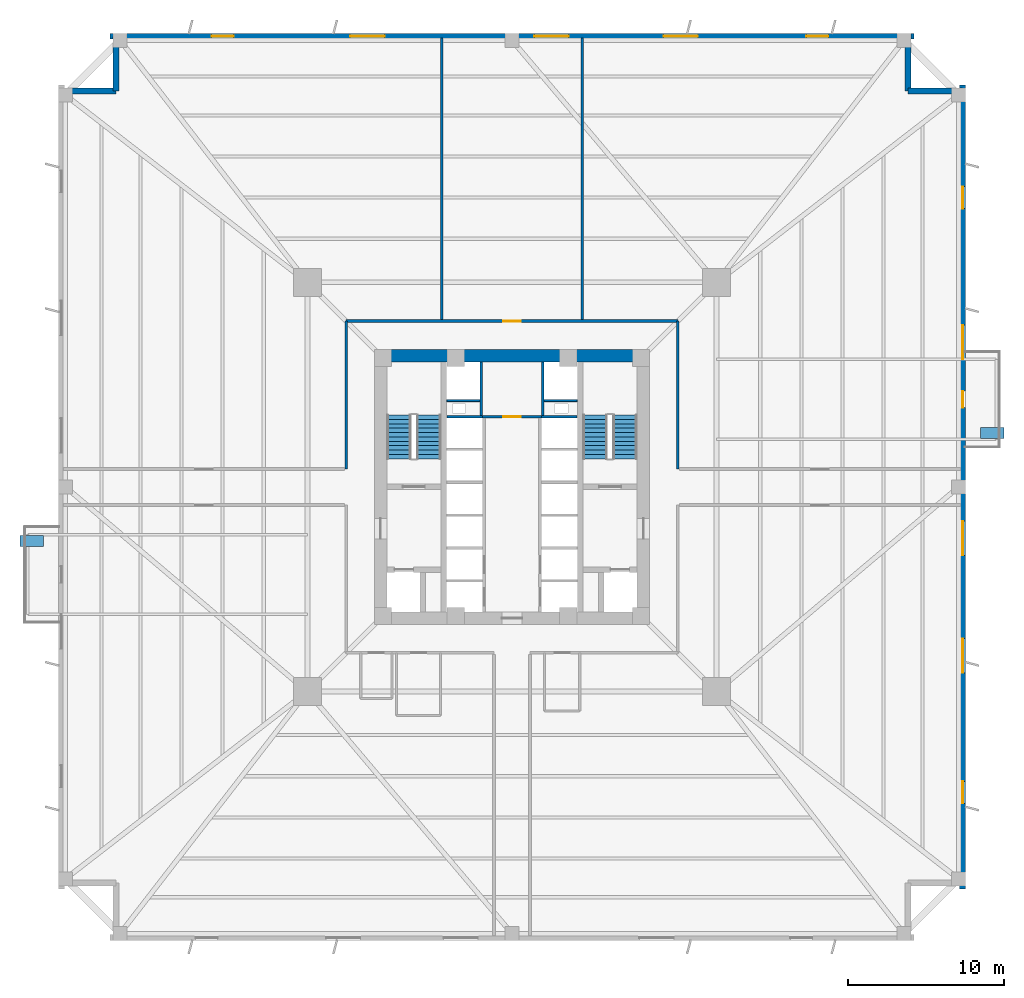
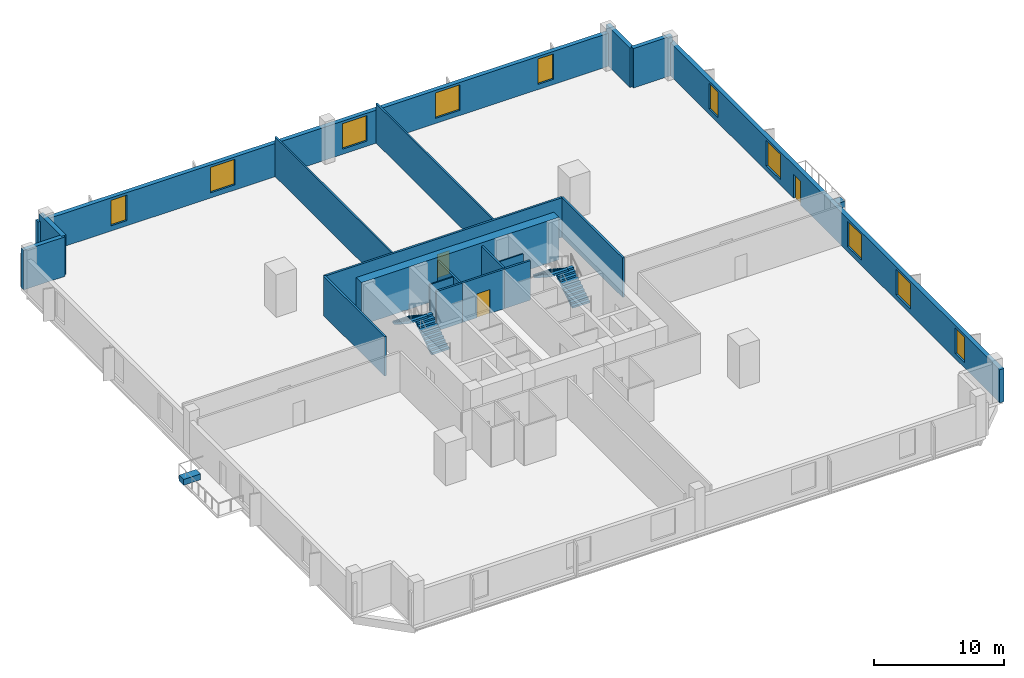
# One storey, part 4 of 8: 19 walls, 10 windows, 4 stair flights, 3 doors, 2 discrete accessories, 13 openings, 2 elements without a shape of their own.
"""IFC4 building model written with IfcOpenShell, lengths in metres."""

import ifcopenshell
import ifcopenshell.guid

model = None  # the IFC model being written
_history = None  # IfcOwnerHistory: only IFC2X3 demands one
_inside = {}  # id of a spatial element -> (the spatial element, [elements in it])
_under = {}  # id of a project, library or spatial element -> (it, [spatial elements below it])
_declared = {}  # id of a project -> (the project, [libraries it declares])
_typed = {}  # id of a type object -> (the type object, [elements of that type])
_made_of = {}  # id of a material, layer set ... -> (it, [elements and type objects made of it])


def new_model(schema):
    """Start an empty IFC model of exactly this schema.

    Asked for "IFC4X3", IfcOpenShell would pick the latest addendum, in which some entities
    have other attributes; the version numbers below select the first issue.
    IFC2X3 requires an IfcOwnerHistory on every rooted entity: one is made here for all.
    """
    global model, _history
    if schema == "IFC4X3":
        model = ifcopenshell.file(schema_version=(4, 3, 0, 0))
    else:
        model = ifcopenshell.file(schema=schema)
    _inside.clear()
    _under.clear()
    _declared.clear()
    _typed.clear()
    _made_of.clear()
    _history = None
    if model.schema == "IFC2X3":
        org = make("IfcOrganization", Name="unknown")
        user = make(
            "IfcPersonAndOrganization",
            ThePerson=make("IfcPerson", FamilyName="unknown"),
            TheOrganization=org,
        )
        app = make(
            "IfcApplication",
            ApplicationDeveloper=org,
            Version="unknown",
            ApplicationFullName="unknown",
            ApplicationIdentifier="unknown",
        )
        _history = make(
            "IfcOwnerHistory",
            OwningUser=user,
            OwningApplication=app,
            ChangeAction="ADDED",
            CreationDate=0,
        )
    return model


def make(cls, **values):
    """One entity of the class cls with the attributes given. An attribute that is None is left unset."""
    return model.create_entity(
        cls, **{name: value for name, value in values.items() if value is not None}
    )


def rooted(cls, **values):
    """An entity with a GlobalId (a new one), such as an element, a storey or a relation."""
    return make(cls, GlobalId=ifcopenshell.guid.new(), OwnerHistory=_history, **values)


def si_unit(unit_type, name, prefix=None):
    """IfcSIUnit, for example si_unit("LENGTHUNIT", "METRE", prefix="MILLI")."""
    return make("IfcSIUnit", UnitType=unit_type, Prefix=prefix, Name=name)


def assignment(units):
    """IfcUnitAssignment: the units of a project."""
    return None if units is None else make("IfcUnitAssignment", Units=units)


def point(xyz):
    """IfcCartesianPoint."""
    return None if xyz is None else make("IfcCartesianPoint", Coordinates=xyz)


def direction(xyz):
    """IfcDirection."""
    return None if xyz is None else make("IfcDirection", DirectionRatios=xyz)


def frame(location, z_axis=None, x_axis=None):
    """IfcAxis2Placement3D, a coordinate frame: its origin and axes. An axis left out is left unset."""
    return make(
        "IfcAxis2Placement3D",
        Location=point(location),
        Axis=direction(z_axis),
        RefDirection=direction(x_axis),
    )


def frame_2d(location, x_axis=None):
    """IfcAxis2Placement2D, a coordinate frame in the plane: its origin and x axis."""
    return make(
        "IfcAxis2Placement2D", Location=point(location), RefDirection=direction(x_axis)
    )


def origin():
    """The frame at (0, 0, 0) with its axes left unset."""
    return frame((0.0, 0.0, 0.0))


def origin_2d():
    """The frame at (0, 0) in the plane with its x axis left unset."""
    return frame_2d((0.0, 0.0))


def place(relative_to, where):
    """IfcLocalPlacement: puts the frame where relative to a parent placement (None: the world)."""
    return make(
        "IfcLocalPlacement", PlacementRelTo=relative_to, RelativePlacement=where
    )


def context(
    kind, dimensions, precision=None, world=None, true_north=None, identifier=None
):
    """IfcGeometricRepresentationContext, for example the 3D "Model" context."""
    return make(
        "IfcGeometricRepresentationContext",
        ContextIdentifier=identifier,
        ContextType=kind,
        CoordinateSpaceDimension=dimensions,
        Precision=precision,
        WorldCoordinateSystem=world,
        TrueNorth=true_north,
    )


def subcontext(parent, identifier, kind, view, scale=None):
    """IfcGeometricRepresentationSubContext, for example "Body" below "Model"."""
    return make(
        "IfcGeometricRepresentationSubContext",
        ContextIdentifier=identifier,
        ContextType=kind,
        ParentContext=parent,
        TargetScale=scale,
        TargetView=view,
    )


def project(units=None, contexts=None):
    """IfcProject with its units and contexts."""
    return rooted(
        "IfcProject",
        Name="project",
        RepresentationContexts=contexts,
        UnitsInContext=assignment(units),
    )


def spatial(cls, under=None, at=None, **own):
    """A site, building, storey or space (cls), placed at a placement, below another one or the project."""
    s = rooted(cls, ObjectPlacement=at, **own)
    if under is not None:
        _under.setdefault(under.id(), (under, []))[1].append(s)
    return s


def polyline(points):
    """IfcPolyline through the points."""
    return make("IfcPolyline", Points=[point(p) for p in points])


def profile(cls, at=None, kind="AREA", **sizes):
    """A parametric profile (cls). Its sizes go by their IFC names, for example OverallWidth=200.0."""
    return make(cls, ProfileType=kind, Position=at, **sizes)


def rectangle(**sizes):
    """IfcRectangleProfileDef."""
    return profile("IfcRectangleProfileDef", **sizes)


def outline(outer, holes=None, kind="AREA"):
    """IfcArbitraryClosedProfileDef: a profile drawn as a closed curve; with holes, ...WithVoids."""
    if holes is None:
        return make("IfcArbitraryClosedProfileDef", ProfileType=kind, OuterCurve=outer)
    return make(
        "IfcArbitraryProfileDefWithVoids",
        ProfileType=kind,
        OuterCurve=outer,
        InnerCurves=holes,
    )


def extrude(swept, where, along, depth):
    """IfcExtrudedAreaSolid: the profile swept, set in the frame where, extruded along a direction by depth."""
    return make(
        "IfcExtrudedAreaSolid",
        SweptArea=swept,
        Position=where,
        ExtrudedDirection=direction(along),
        Depth=depth,
    )


def shape(context_of_items, identifier, shape_type, items):
    """IfcShapeRepresentation: the items that make up one representation, for example the "Body"."""
    return make(
        "IfcShapeRepresentation",
        ContextOfItems=context_of_items,
        RepresentationIdentifier=identifier,
        RepresentationType=shape_type,
        Items=items,
    )


def source(mapping_origin, context_of_items, identifier, shape_type, items):
    """IfcRepresentationMap: a shape defined once, which mapped items show again and again."""
    return make(
        "IfcRepresentationMap",
        MappingOrigin=mapping_origin,
        MappedRepresentation=shape(context_of_items, identifier, shape_type, items),
    )


def transform(
    local_origin,
    x_axis=None,
    y_axis=None,
    z_axis=None,
    scale=None,
    scale2=None,
    scale3=None,
    uniform=True,
):
    """IfcCartesianTransformationOperator3D, or its non-uniform kind. x_axis, y_axis, z_axis: its Axis1, 2, 3."""
    if uniform:
        return make(
            "IfcCartesianTransformationOperator3D",
            Axis1=direction(x_axis),
            Axis2=direction(y_axis),
            LocalOrigin=point(local_origin),
            Scale=scale,
            Axis3=direction(z_axis),
        )
    return make(
        "IfcCartesianTransformationOperator3DnonUniform",
        Axis1=direction(x_axis),
        Axis2=direction(y_axis),
        LocalOrigin=point(local_origin),
        Scale=scale,
        Axis3=direction(z_axis),
        Scale2=scale2,
        Scale3=scale3,
    )


def mapped(mapping_source, mapping_target):
    """IfcMappedItem: shows the shape of a source again, moved by a transform."""
    return make(
        "IfcMappedItem", MappingSource=mapping_source, MappingTarget=mapping_target
    )


def material(Name=None, Category=None):
    """IfcMaterial."""
    return make("IfcMaterial", Name=Name, Category=Category)


def layer(
    of_material, thickness, ventilated=None, Name=None, Category=None, Priority=None
):
    """IfcMaterialLayer: one layer of a wall or slab, of a material (None: an air gap)."""
    return make(
        "IfcMaterialLayer",
        Material=of_material,
        LayerThickness=thickness,
        IsVentilated=ventilated,
        Name=Name,
        Category=Category,
        Priority=Priority,
    )


def layer_set(layers, Name=None):
    """IfcMaterialLayerSet."""
    return make("IfcMaterialLayerSet", MaterialLayers=layers, LayerSetName=Name)


def made_of(thing, what):
    """Note that an element or type object is made of a material, layer set ...; save() writes the relation."""
    if what is not None:
        _made_of.setdefault(what.id(), (what, []))[1].append(thing)
    return thing


def type_object(cls, material=None, **own):
    """A type object (cls), such as IfcWallType, which elements share."""
    return made_of(rooted(cls, **own), material)


def element(
    cls,
    number,
    at=None,
    inside=None,
    cuts=None,
    type_object=None,
    material=None,
    context=None,
    identifier="Body",
    shape_type=None,
    held_by="IfcProductDefinitionShape",
    body=None,
    shapes=None,
    **own,
):
    """One element of the class cls, such as IfcWall. Its Tag is "e" and its number.

    at: its placement. inside: the storey or other place that contains it. cuts: it is an
    opening in that element (IfcRelVoidsElement). A single representation is given by context,
    identifier, shape_type and body (its items); several are given by shapes. held_by: the class
    of the entity that holds the representations. save() writes the other relations.
    """
    e = rooted(cls, Tag="e%d" % number, ObjectPlacement=at, **own)
    if body is not None:
        shapes = [shape(context, identifier, shape_type, body)]
    if shapes is not None:
        e.Representation = make(held_by, Representations=shapes)
    if inside is not None:
        _inside.setdefault(inside.id(), (inside, []))[1].append(e)
    if cuts is not None:
        rooted(
            "IfcRelVoidsElement", RelatingBuildingElement=cuts, RelatedOpeningElement=e
        )
    if type_object is not None:
        _typed.setdefault(type_object.id(), (type_object, []))[1].append(e)
    return made_of(e, material)


def fill(opening, filler):
    """IfcRelFillsElement: the door or window that sits in an opening."""
    return rooted(
        "IfcRelFillsElement",
        RelatingOpeningElement=opening,
        RelatedBuildingElement=filler,
    )


def aggregate(whole, parts):
    """IfcRelAggregates: a whole, such as a stair, and the parts it consists of."""
    return rooted("IfcRelAggregates", RelatingObject=whole, RelatedObjects=parts)


def save(model, path):
    """Write the relations noted so far, then the file.

    IfcRelAggregates (storeys below a building ...), IfcRelContainedInSpatialStructure (elements
    in a storey), IfcRelDefinesByType, IfcRelAssociatesMaterial and IfcRelDeclares: one each for
    every whole, place, type object, material and project.
    """
    for whole, parts in _under.values():
        aggregate(whole, parts)
    for where, things in _inside.values():
        rooted(
            "IfcRelContainedInSpatialStructure",
            RelatedElements=things,
            RelatingStructure=where,
        )
    for kind, things in _typed.values():
        rooted("IfcRelDefinesByType", RelatedObjects=things, RelatingType=kind)
    for what, things in _made_of.values():
        rooted("IfcRelAssociatesMaterial", RelatedObjects=things, RelatingMaterial=what)
    for by, libraries in _declared.values():
        rooted("IfcRelDeclares", RelatingContext=by, RelatedDefinitions=libraries)
    model.write(path)


model = new_model("IFC4")

# Units and contexts
model_context = context("Model", 3, precision=1e-05, world=origin(), true_north=direction((0.0, 1.0)))
body_context = subcontext(model_context, "Body", "Model", "MODEL_VIEW")
ifc_project = project(units=[si_unit("LENGTHUNIT", "METRE"), si_unit("AREAUNIT", "SQUARE_METRE"), si_unit("VOLUMEUNIT", "CUBIC_METRE"), si_unit("PLANEANGLEUNIT", "RADIAN"), si_unit("MASSUNIT", "GRAM", prefix="KILO"), si_unit("THERMODYNAMICTEMPERATUREUNIT", "KELVIN")], contexts=[model_context])

# Site, building, storey
site_placement = place(None, origin())
site = spatial("IfcSite", under=ifc_project, at=site_placement, CompositionType="ELEMENT")
building_placement = place(site_placement, origin())
building = spatial("IfcBuilding", under=site, at=building_placement, Name="Kosmvard Interchange Tower", CompositionType="ELEMENT")
storey_placement = place(building_placement, frame((0.0, 0.0, 34.0)))
storey = spatial("IfcBuildingStorey", under=building, at=storey_placement, Name="L07", CompositionType="ELEMENT", Elevation=34.0)

# Walls
ifc_material_1 = material(Name="Acoustic gypsum partition system")
ifc_layer_1 = layer(ifc_material_1, 0.14990234375, Name="Acoustic gypsum partition system")
ifc_layer_set_1 = layer_set([ifc_layer_1], Name="Acoustic gypsum partition system")
wall_type_1 = type_object("IfcWallType", Name="Acoustic Suite & Meeting Partition 150", PredefinedType="PARTITIONING", material=ifc_layer_set_1)
for number, where, z_axis, x_axis, name in (
    (1, (-4.5, 10.695068359375, 0.0), (0.0, 0.0, 1.0), (0.0, 1.0, 0.0), "L07 Room Partition 01.1"),
    (2, (4.5, 10.695068359375, 0.0), (0.0, 0.0, 1.0), (0.0, 1.0, 0.0), "L07 Room Partition 02.1"),
):
    element("IfcWall", number, at=place(storey_placement, frame(where, z_axis=z_axis, x_axis=x_axis)), inside=storey, type_object=wall_type_1, Name=name, PredefinedType="PARTITIONING", context=body_context, shape_type="SweptSolid", body=[
        extrude(rectangle(XDim=17.989990234375, YDim=0.14990234375, at=frame_2d((8.9951171875, 0.0))), origin(), (0.0, 0.0, 1.0), 3.719970703125),
    ])
ifc_material_2 = material(Name="Fire-rated gypsum partition system")
ifc_layer_2 = layer(ifc_material_2, 0.159912109375, Name="Fire-rated gypsum partition system")
ifc_layer_set_2 = layer_set([ifc_layer_2], Name="Fire-rated gypsum partition system")
wall_type_2 = type_object("IfcWallType", Name="Core Compartment & Shuttle Lobby Partition 160", PredefinedType="PARTITIONING", material=ifc_layer_set_2)
for number, where, z_axis, x_axis, name in (
    (3, (-1.9599609375, 4.580078125, 0.0), (0.0, 0.0, 1.0), (0.0, 1.0, 0.0), "L07 North Core West Wall"),
    (4, (1.9599609375, 4.580078125, 0.0), (0.0, 0.0, 1.0), (0.0, 1.0, 0.0), "L07 North Core East Wall"),
):
    element("IfcWall", number, at=place(storey_placement, frame(where, z_axis=z_axis, x_axis=x_axis)), inside=storey, type_object=wall_type_2, Name=name, PredefinedType="PARTITIONING", context=body_context, shape_type="SweptSolid", body=[
        extrude(rectangle(XDim=3.39990234375, YDim=0.159912109375, at=frame_2d((1.699951171875, 0.0))), origin(), (0.0, 0.0, 1.0), 3.719970703125),
    ])

# Wall, opening, door
ifc_layer_3 = layer(ifc_material_2, 0.179931640625, Name="Fire-rated gypsum partition system")
ifc_layer_set_3 = layer_set([ifc_layer_3], Name="Fire-rated gypsum partition system")
wall_type_3 = type_object("IfcWallType", Name="Corridor & Hotel Compartment Partition 180", PredefinedType="PARTITIONING", material=ifc_layer_set_3)
wall_1_placement = place(storey_placement, frame((-1.8798828125, 4.489990234375, 0.0), z_axis=(0.0, 0.0, 1.0), x_axis=(1.0, 0.0, 0.0)))
wall_1 = element("IfcWall", 5, at=wall_1_placement, inside=storey, type_object=wall_type_3, Name="L07 Lift Lobby North Partition", PredefinedType="PARTITIONING", context=body_context, shape_type="SweptSolid", body=[
    extrude(rectangle(XDim=3.759765625, YDim=0.179931640625, at=frame_2d((1.8798828125, 0.0))), origin(), (0.0, 0.0, 1.0), 3.719970703125),
])
opening_1_placement = place(wall_1_placement, frame((1.304931640625, 0.0, 0.0)))
opening_1 = element("IfcOpeningElement", 6, at=opening_1_placement, cuts=wall_1, Name="Opening L07-KD1", PredefinedType="OPENING", context=body_context, shape_type="SweptSolid", body=[
    extrude(rectangle(XDim=1.14990234375, YDim=2.25, at=frame_2d((0.574951171875, 1.125))), frame((0.0, 0.10009765625, 0.0), z_axis=(0.0, -1.0, 0.0), x_axis=(1.0, 0.0, 0.0)), (0.0, 0.0, 1.0), 0.199951171875),
])
ifc_material_3 = material(Name="Painted fire-rated steel leaf", Category="steel")
door_type_1 = type_object("IfcDoorType", Name="Plant & Riser Fire Door 1150x2250 EI60", OperationType="NOTDEFINED", PredefinedType="DOOR", material=ifc_material_3)
shared_shape_1 = source(origin(), body_context, "Body", "SweptSolid", [
    extrude(rectangle(XDim=1.14990234375, YDim=2.25, at=frame_2d((0.574951171875, 1.125))), frame((0.0, 0.02490234375, 0.0), z_axis=(0.0, -1.0, 0.0), x_axis=(1.0, 0.0, 0.0)), (0.0, 0.0, 1.0), 0.050048828125),
])
door_1_placement = place(opening_1_placement, origin())
door_1 = element("IfcDoor", 7, at=door_1_placement, inside=storey, type_object=door_type_1, Name="L07 Core IT Room Door", OperationType="SINGLE_SWING_LEFT", OverallHeight=2.25, OverallWidth=1.14990234375, PredefinedType="DOOR", context=body_context, shape_type="MappedRepresentation", body=[
    mapped(shared_shape_1, transform((0.0, 0.0, 0.0), scale=1.0)),
])
fill(opening_1, door_1)

wall_2_placement = place(storey_placement, frame((-10.60009765625, 10.60009765625, 0.0), z_axis=(0.0, 0.0, 1.0), x_axis=(1.0, 0.0, 0.0)))
wall_2 = element("IfcWall", 8, at=wall_2_placement, inside=storey, type_object=wall_type_3, Name="L07 Corridor Wall CN", PredefinedType="PARTITIONING", context=body_context, shape_type="SweptSolid", body=[
    extrude(rectangle(XDim=21.2001953125, YDim=0.179931640625, at=frame_2d((10.60009765625, 0.0))), origin(), (0.0, 0.0, 1.0), 3.719970703125),
])
opening_2_placement = place(wall_2_placement, frame((10.050048828125, 0.0, 0.0)))
opening_2 = element("IfcOpeningElement", 9, at=opening_2_placement, cuts=wall_2, Name="Opening L07-D05", PredefinedType="OPENING", context=body_context, shape_type="SweptSolid", body=[
    extrude(rectangle(XDim=1.10009765625, YDim=2.199951171875, at=frame_2d((0.550048828125, 1.10009765625))), frame((0.0, 0.10009765625, 0.0), z_axis=(0.0, -1.0, 0.0), x_axis=(1.0, 0.0, 0.0)), (0.0, 0.0, 1.0), 0.199951171875),
])
ifc_material_4 = material(Name="Engineered oak fire-rated timber", Category="wood")
door_type_2 = type_object("IfcDoorType", Name="Office Suite Entrance Door 1100x2200 FD30S", OperationType="NOTDEFINED", PredefinedType="DOOR", material=ifc_material_4)
shared_shape_2 = source(origin(), body_context, "Body", "SweptSolid", [
    extrude(rectangle(XDim=1.10009765625, YDim=2.199951171875, at=frame_2d((0.550048828125, 1.10009765625))), frame((0.0, 0.02490234375, 0.0), z_axis=(0.0, -1.0, 0.0), x_axis=(1.0, 0.0, 0.0)), (0.0, 0.0, 1.0), 0.050048828125),
])
door_2_placement = place(opening_2_placement, origin())
door_2 = element("IfcDoor", 10, at=door_2_placement, inside=storey, type_object=door_type_2, Name="L07 Central Executive Boardroom Door", OperationType="SINGLE_SWING_LEFT", OverallHeight=2.199951171875, OverallWidth=1.10009765625, PredefinedType="DOOR", context=body_context, shape_type="MappedRepresentation", body=[
    mapped(shared_shape_2, transform((0.0, 0.0, 0.0), scale=1.0)),
])
fill(opening_2, door_2)

# Walls
for number, where, z_axis, x_axis, name in (
    (11, (-10.60009765625, 1.14990234375, 0.0), (0.0, 0.0, 1.0), (0.0, 1.0, 0.0), "L07 Corridor Wall CWN"),
    (12, (10.60009765625, 1.14990234375, 0.0), (0.0, 0.0, 1.0), (0.0, 1.0, 0.0), "L07 Corridor Wall CEN"),
):
    element("IfcWall", number, at=place(storey_placement, frame(where, z_axis=z_axis, x_axis=x_axis)), inside=storey, type_object=wall_type_3, Name=name, PredefinedType="PARTITIONING", context=body_context, shape_type="SweptSolid", body=[
        extrude(rectangle(XDim=9.4501953125, YDim=0.179931640625, at=frame_2d((4.72509765625, 0.0))), origin(), (0.0, 0.0, 1.0), 3.719970703125),
    ])
ifc_material_5 = material(Name="Concrete C80/95", Category="concrete")
ifc_layer_4 = layer(ifc_material_5, 0.800048828125, Name="Concrete C80/95")
ifc_layer_set_4 = layer_set([ifc_layer_4], Name="Concrete C80/95")
wall_type_4 = type_object("IfcWallType", Name="Lower Core Shear Wall 800 C80/95", PredefinedType="SHEAR", material=ifc_layer_set_4)
wall_3_placement = place(storey_placement, frame((-8.800048828125, 8.39990234375, 0.0), z_axis=(0.0, 0.0, 1.0), x_axis=(1.0, 0.0, 0.0)))
element("IfcWall", 13, at=wall_3_placement, inside=storey, type_object=wall_type_4, Name="L07 Core Shear Wall CW-N", PredefinedType="SHEAR", context=body_context, shape_type="SweptSolid", body=[
    extrude(rectangle(XDim=17.60009765625, YDim=0.800048828125, at=frame_2d((8.800048828125, 0.0))), origin(), (0.0, 0.0, 1.0), 4.0),
])

# Wall, openings, door, windows
ifc_material_6 = material(Name="Precast concrete C45/55", Category="concrete")
ifc_layer_5 = layer(ifc_material_6, 0.3798828125, Name="Precast concrete C45/55")
ifc_layer_set_5 = layer_set([ifc_layer_5], Name="Precast concrete C45/55")
wall_type_5 = type_object("IfcWallType", Name="Lower Tower Precast Pier Wall 380 C45/55", PredefinedType="STANDARD", material=ifc_layer_set_5)
wall_4_placement = place(storey_placement, frame((28.81005859375, -25.68994140625, 0.0), z_axis=(0.0, 0.0, 1.0), x_axis=(0.0, 1.0, 0.0)))
wall_4 = element("IfcWall", 14, at=wall_4_placement, inside=storey, type_object=wall_type_5, Name="L07 Precast Facade Wall F-E", PredefinedType="STANDARD", context=body_context, shape_type="SweptSolid", body=[
    extrude(rectangle(XDim=51.3798828125, YDim=0.3798828125, at=frame_2d((25.68994140625, 0.0))), origin(), (0.0, 0.0, 1.0), 3.1201171875),
])
opening_3_placement = place(wall_4_placement, frame((30.764892578125, 0.0, 0.0)))
opening_3 = element("IfcOpeningElement", 15, at=opening_3_placement, cuts=wall_4, Name="Opening L07-BDE", PredefinedType="OPENING", context=body_context, shape_type="SweptSolid", body=[
    extrude(rectangle(XDim=1.050048828125, YDim=2.25, at=frame_2d((0.52490234375, 1.125))), frame((0.0, 0.199951171875, 0.0), z_axis=(0.0, -1.0, 0.0), x_axis=(1.0, 0.0, 0.0)), (0.0, 0.0, 1.0), 0.39990234375),
])
opening_4_placement = place(wall_4_placement, frame((5.465576171875, 0.0, 0.489990234375)))
opening_4 = element("IfcOpeningElement", 16, at=opening_4_placement, cuts=wall_4, Name="Opening L07-W06", PredefinedType="OPENING", context=body_context, shape_type="SweptSolid", body=[
    extrude(rectangle(XDim=1.39990234375, YDim=2.39990234375, at=frame_2d((0.699951171875, 1.199951171875))), frame((0.0, 0.199951171875, 0.0), z_axis=(0.0, -1.0, 0.0), x_axis=(1.0, 0.0, 0.0)), (0.0, 0.0, 1.0), 0.39990234375),
])
opening_5_placement = place(wall_4_placement, frame((13.80029296875, 0.0, 0.489990234375)))
opening_5 = element("IfcOpeningElement", 17, at=opening_5_placement, cuts=wall_4, Name="Opening L07-W07", PredefinedType="OPENING", context=body_context, shape_type="SweptSolid", body=[
    extrude(rectangle(XDim=2.199951171875, YDim=2.39990234375, at=frame_2d((1.10009765625, 1.199951171875))), frame((0.0, 0.199951171875, 0.0), z_axis=(0.0, -1.0, 0.0), x_axis=(1.0, 0.0, 0.0)), (0.0, 0.0, 1.0), 0.39990234375),
])
opening_6_placement = place(wall_4_placement, frame((21.3125, 0.0, 0.489990234375)))
opening_6 = element("IfcOpeningElement", 18, at=opening_6_placement, cuts=wall_4, Name="Opening L07-W08", PredefinedType="OPENING", context=body_context, shape_type="SweptSolid", body=[
    extrude(rectangle(XDim=2.199951171875, YDim=2.39990234375, at=frame_2d((1.10009765625, 1.199951171875))), frame((0.0, 0.199951171875, 0.0), z_axis=(0.0, -1.0, 0.0), x_axis=(1.0, 0.0, 0.0)), (0.0, 0.0, 1.0), 0.39990234375),
])
opening_7_placement = place(wall_4_placement, frame((33.83837890625, 0.0, 0.489990234375)))
opening_7 = element("IfcOpeningElement", 19, at=opening_7_placement, cuts=wall_4, Name="Opening L07-W09", PredefinedType="OPENING", context=body_context, shape_type="SweptSolid", body=[
    extrude(rectangle(XDim=2.199951171875, YDim=2.39990234375, at=frame_2d((1.10009765625, 1.199951171875))), frame((0.0, 0.199951171875, 0.0), z_axis=(0.0, -1.0, 0.0), x_axis=(1.0, 0.0, 0.0)), (0.0, 0.0, 1.0), 0.39990234375),
])
opening_8_placement = place(wall_4_placement, frame((43.48681640625, 0.0, 0.489990234375)))
opening_8 = element("IfcOpeningElement", 20, at=opening_8_placement, cuts=wall_4, Name="Opening L07-W10", PredefinedType="OPENING", context=body_context, shape_type="SweptSolid", body=[
    extrude(rectangle(XDim=1.39990234375, YDim=2.39990234375, at=frame_2d((0.699951171875, 1.199951171875))), frame((0.0, 0.199951171875, 0.0), z_axis=(0.0, -1.0, 0.0), x_axis=(1.0, 0.0, 0.0)), (0.0, 0.0, 1.0), 0.39990234375),
])
ifc_material_7 = material(Name="Anodised aluminium and safety glass", Category="aluminium")
door_type_3 = type_object("IfcDoorType", Name="Tree-Balcony Glazed Door 1050x2250", OperationType="NOTDEFINED", PredefinedType="DOOR", material=ifc_material_7)
shared_shape_3 = source(origin(), body_context, "Body", "SweptSolid", [
    extrude(rectangle(XDim=1.050048828125, YDim=2.25, at=frame_2d((0.52490234375, 1.125))), frame((0.0, 0.02490234375, 0.0), z_axis=(0.0, -1.0, 0.0), x_axis=(1.0, 0.0, 0.0)), (0.0, 0.0, 1.0), 0.050048828125),
])
door_3_placement = place(opening_3_placement, origin())
door_3 = element("IfcDoor", 21, at=door_3_placement, inside=storey, type_object=door_type_3, Name="L07 Tree-Balcony Door BAL-L07-E", OperationType="SINGLE_SWING_RIGHT", OverallHeight=2.25, OverallWidth=1.050048828125, PredefinedType="DOOR", context=body_context, shape_type="MappedRepresentation", body=[
    mapped(shared_shape_3, transform((0.0, 0.0, 0.0), scale=1.0)),
])
fill(opening_3, door_3)
ifc_material_8 = material(Name="Low-E solar-control double glazing", Category="glass")
window_type_1 = type_object("IfcWindowType", Name="Notched Corner Feature Window 1400x2400", PartitioningType="SINGLE_PANEL", PredefinedType="WINDOW", material=ifc_material_8)
shared_shape_4 = source(origin(), body_context, "Body", "SweptSolid", [
    extrude(rectangle(XDim=1.39990234375, YDim=2.39990234375, at=frame_2d((0.699951171875, 1.199951171875))), frame((0.0, 0.030029296875, 0.0), z_axis=(0.0, -1.0, 0.0), x_axis=(1.0, 0.0, 0.0)), (0.0, 0.0, 1.0), 0.06005859375),
])
window_1_placement = place(opening_4_placement, origin())
window_1 = element("IfcWindow", 22, at=window_1_placement, inside=storey, type_object=window_type_1, Name="L07 Facade Punched Window 06", OverallHeight=2.39990234375, OverallWidth=1.39990234375, PartitioningType="SINGLE_PANEL", PredefinedType="WINDOW", context=body_context, shape_type="MappedRepresentation", body=[
    mapped(shared_shape_4, transform((0.0, 0.0, 0.0), scale=1.0)),
])
fill(opening_4, window_1)
window_2_placement = place(opening_8_placement, origin())
window_2 = element("IfcWindow", 23, at=window_2_placement, inside=storey, type_object=window_type_1, Name="L07 Facade Punched Window 10", OverallHeight=2.39990234375, OverallWidth=1.39990234375, PartitioningType="SINGLE_PANEL", PredefinedType="WINDOW", context=body_context, shape_type="MappedRepresentation", body=[
    mapped(shared_shape_4, transform((0.0, 0.0, 0.0), scale=1.0)),
])
fill(opening_8, window_2)
window_type_2 = type_object("IfcWindowType", Name="Zone 1 Office Punched Window 2200x2400", PartitioningType="SINGLE_PANEL", PredefinedType="WINDOW", material=ifc_material_8)
shared_shape_5 = source(origin(), body_context, "Body", "SweptSolid", [
    extrude(rectangle(XDim=2.199951171875, YDim=2.39990234375, at=frame_2d((1.10009765625, 1.199951171875))), frame((0.0, 0.030029296875, 0.0), z_axis=(0.0, -1.0, 0.0), x_axis=(1.0, 0.0, 0.0)), (0.0, 0.0, 1.0), 0.06005859375),
])
window_3_placement = place(opening_5_placement, origin())
window_3 = element("IfcWindow", 24, at=window_3_placement, inside=storey, type_object=window_type_2, Name="L07 Facade Punched Window 07", OverallHeight=2.39990234375, OverallWidth=2.199951171875, PartitioningType="SINGLE_PANEL", PredefinedType="WINDOW", context=body_context, shape_type="MappedRepresentation", body=[
    mapped(shared_shape_5, transform((0.0, 0.0, 0.0), scale=1.0)),
])
fill(opening_5, window_3)
window_4_placement = place(opening_6_placement, origin())
window_4 = element("IfcWindow", 25, at=window_4_placement, inside=storey, type_object=window_type_2, Name="L07 Facade Punched Window 08", OverallHeight=2.39990234375, OverallWidth=2.199951171875, PartitioningType="SINGLE_PANEL", PredefinedType="WINDOW", context=body_context, shape_type="MappedRepresentation", body=[
    mapped(shared_shape_5, transform((0.0, 0.0, 0.0), scale=1.0)),
])
fill(opening_6, window_4)
window_5_placement = place(opening_7_placement, origin())
window_5 = element("IfcWindow", 26, at=window_5_placement, inside=storey, type_object=window_type_2, Name="L07 Facade Punched Window 09", OverallHeight=2.39990234375, OverallWidth=2.199951171875, PartitioningType="SINGLE_PANEL", PredefinedType="WINDOW", context=body_context, shape_type="MappedRepresentation", body=[
    mapped(shared_shape_5, transform((0.0, 0.0, 0.0), scale=1.0)),
])
fill(opening_7, window_5)

# Walls
wall_5_placement = place(storey_placement, frame((28.81005859375, 25.31005859375, 0.0), z_axis=(0.0, 0.0, 1.0), x_axis=(-1.0, 0.0, 0.0)))
element("IfcWall", 27, at=wall_5_placement, inside=storey, type_object=wall_type_5, Name="L07 Precast Facade Wall N-NE1", PredefinedType="STANDARD", context=body_context, shape_type="SweptSolid", body=[
    extrude(rectangle(XDim=3.5, YDim=0.3798828125, at=frame_2d((1.75, 0.0))), origin(), (0.0, 0.0, 1.0), 3.719970703125),
])
wall_6_placement = place(storey_placement, frame((25.31005859375, 25.31005859375, 0.0), z_axis=(0.0, 0.0, 1.0), x_axis=(0.0, 1.0, 0.0)))
element("IfcWall", 28, at=wall_6_placement, inside=storey, type_object=wall_type_5, Name="L07 Precast Facade Wall N-NE2", PredefinedType="STANDARD", context=body_context, shape_type="SweptSolid", body=[
    extrude(rectangle(XDim=3.68994140625, YDim=0.3798828125, at=frame_2d((1.844970703125, 0.0))), origin(), (0.0, 0.0, 1.0), 3.719970703125),
])

# Wall, openings, windows
wall_7_placement = place(storey_placement, frame((25.68994140625, 28.81005859375, 0.0), z_axis=(0.0, 0.0, 1.0), x_axis=(-1.0, 0.0, 0.0)))
wall_7 = element("IfcWall", 29, at=wall_7_placement, inside=storey, type_object=wall_type_5, Name="L07 Precast Facade Wall F-N", PredefinedType="STANDARD", context=body_context, shape_type="SweptSolid", body=[
    extrude(rectangle(XDim=51.3798828125, YDim=0.3798828125, at=frame_2d((25.68994140625, 0.0))), origin(), (0.0, 0.0, 1.0), 3.1201171875),
])
opening_9_placement = place(wall_7_placement, frame((5.465576171875, 0.0, 0.489990234375)))
opening_9 = element("IfcOpeningElement", 30, at=opening_9_placement, cuts=wall_7, Name="Opening L07-W11", PredefinedType="OPENING", context=body_context, shape_type="SweptSolid", body=[
    extrude(rectangle(XDim=1.39990234375, YDim=2.39990234375, at=frame_2d((0.699951171875, 1.199951171875))), frame((0.0, 0.199951171875, 0.0), z_axis=(0.0, -1.0, 0.0), x_axis=(1.0, 0.0, 0.0)), (0.0, 0.0, 1.0), 0.39990234375),
])
opening_10_placement = place(wall_7_placement, frame((13.80029296875, 0.0, 0.489990234375)))
opening_10 = element("IfcOpeningElement", 31, at=opening_10_placement, cuts=wall_7, Name="Opening L07-W12", PredefinedType="OPENING", context=body_context, shape_type="SweptSolid", body=[
    extrude(rectangle(XDim=2.199951171875, YDim=2.39990234375, at=frame_2d((1.10009765625, 1.199951171875))), frame((0.0, 0.199951171875, 0.0), z_axis=(0.0, -1.0, 0.0), x_axis=(1.0, 0.0, 0.0)), (0.0, 0.0, 1.0), 0.39990234375),
])
opening_11_placement = place(wall_7_placement, frame((22.0625, 0.0, 0.489990234375)))
opening_11 = element("IfcOpeningElement", 32, at=opening_11_placement, cuts=wall_7, Name="Opening L07-W13", PredefinedType="OPENING", context=body_context, shape_type="SweptSolid", body=[
    extrude(rectangle(XDim=2.199951171875, YDim=2.39990234375, at=frame_2d((1.10009765625, 1.199951171875))), frame((0.0, 0.199951171875, 0.0), z_axis=(0.0, -1.0, 0.0), x_axis=(1.0, 0.0, 0.0)), (0.0, 0.0, 1.0), 0.39990234375),
])
opening_12_placement = place(wall_7_placement, frame((33.83837890625, 0.0, 0.489990234375)))
opening_12 = element("IfcOpeningElement", 33, at=opening_12_placement, cuts=wall_7, Name="Opening L07-W14", PredefinedType="OPENING", context=body_context, shape_type="SweptSolid", body=[
    extrude(rectangle(XDim=2.199951171875, YDim=2.39990234375, at=frame_2d((1.10009765625, 1.199951171875))), frame((0.0, 0.199951171875, 0.0), z_axis=(0.0, -1.0, 0.0), x_axis=(1.0, 0.0, 0.0)), (0.0, 0.0, 1.0), 0.39990234375),
])
opening_13_placement = place(wall_7_placement, frame((43.48681640625, 0.0, 0.489990234375)))
opening_13 = element("IfcOpeningElement", 34, at=opening_13_placement, cuts=wall_7, Name="Opening L07-W15", PredefinedType="OPENING", context=body_context, shape_type="SweptSolid", body=[
    extrude(rectangle(XDim=1.39990234375, YDim=2.39990234375, at=frame_2d((0.699951171875, 1.199951171875))), frame((0.0, 0.199951171875, 0.0), z_axis=(0.0, -1.0, 0.0), x_axis=(1.0, 0.0, 0.0)), (0.0, 0.0, 1.0), 0.39990234375),
])
window_6_placement = place(opening_9_placement, origin())
window_6 = element("IfcWindow", 35, at=window_6_placement, inside=storey, type_object=window_type_1, Name="L07 Facade Punched Window 11", OverallHeight=2.39990234375, OverallWidth=1.39990234375, PartitioningType="SINGLE_PANEL", PredefinedType="WINDOW", context=body_context, shape_type="MappedRepresentation", body=[
    mapped(shared_shape_4, transform((0.0, 0.0, 0.0), scale=1.0)),
])
fill(opening_9, window_6)
window_7_placement = place(opening_13_placement, origin())
window_7 = element("IfcWindow", 36, at=window_7_placement, inside=storey, type_object=window_type_1, Name="L07 Facade Punched Window 15", OverallHeight=2.39990234375, OverallWidth=1.39990234375, PartitioningType="SINGLE_PANEL", PredefinedType="WINDOW", context=body_context, shape_type="MappedRepresentation", body=[
    mapped(shared_shape_4, transform((0.0, 0.0, 0.0), scale=1.0)),
])
fill(opening_13, window_7)
window_8_placement = place(opening_10_placement, origin())
window_8 = element("IfcWindow", 37, at=window_8_placement, inside=storey, type_object=window_type_2, Name="L07 Facade Punched Window 12", OverallHeight=2.39990234375, OverallWidth=2.199951171875, PartitioningType="SINGLE_PANEL", PredefinedType="WINDOW", context=body_context, shape_type="MappedRepresentation", body=[
    mapped(shared_shape_5, transform((0.0, 0.0, 0.0), scale=1.0)),
])
fill(opening_10, window_8)
window_9_placement = place(opening_11_placement, origin())
window_9 = element("IfcWindow", 38, at=window_9_placement, inside=storey, type_object=window_type_2, Name="L07 Facade Punched Window 13", OverallHeight=2.39990234375, OverallWidth=2.199951171875, PartitioningType="SINGLE_PANEL", PredefinedType="WINDOW", context=body_context, shape_type="MappedRepresentation", body=[
    mapped(shared_shape_5, transform((0.0, 0.0, 0.0), scale=1.0)),
])
fill(opening_11, window_9)
window_10_placement = place(opening_12_placement, origin())
window_10 = element("IfcWindow", 39, at=window_10_placement, inside=storey, type_object=window_type_2, Name="L07 Facade Punched Window 14", OverallHeight=2.39990234375, OverallWidth=2.199951171875, PartitioningType="SINGLE_PANEL", PredefinedType="WINDOW", context=body_context, shape_type="MappedRepresentation", body=[
    mapped(shared_shape_5, transform((0.0, 0.0, 0.0), scale=1.0)),
])
fill(opening_12, window_10)

# Walls
wall_8_placement = place(storey_placement, frame((-25.31005859375, 28.81005859375, 0.0), z_axis=(0.0, 0.0, 1.0), x_axis=(0.0, -1.0, 0.0)))
element("IfcWall", 40, at=wall_8_placement, inside=storey, type_object=wall_type_5, Name="L07 Precast Facade Wall N-NW1", PredefinedType="STANDARD", context=body_context, shape_type="SweptSolid", body=[
    extrude(rectangle(XDim=3.5, YDim=0.3798828125, at=frame_2d((1.75, 0.0))), origin(), (0.0, 0.0, 1.0), 3.719970703125),
])
wall_9_placement = place(storey_placement, frame((-25.31005859375, 25.31005859375, 0.0), z_axis=(0.0, 0.0, 1.0), x_axis=(-1.0, 0.0, 0.0)))
element("IfcWall", 41, at=wall_9_placement, inside=storey, type_object=wall_type_5, Name="L07 Precast Facade Wall N-NW2", PredefinedType="STANDARD", context=body_context, shape_type="SweptSolid", body=[
    extrude(rectangle(XDim=3.68994140625, YDim=0.3798828125, at=frame_2d((1.844970703125, 0.0))), origin(), (0.0, 0.0, 1.0), 3.719970703125),
])
ifc_material_9 = material(Name="Concrete blockwork masonry", Category="masonry")
ifc_layer_6 = layer(ifc_material_9, 0.179931640625, Name="Concrete blockwork masonry")
ifc_layer_set_6 = layer_set([ifc_layer_6], Name="Concrete blockwork masonry")
wall_type_6 = type_object("IfcWallType", Name="Riser & Lift Bank Divider Wall 180", PredefinedType="PARTITIONING", material=ifc_layer_set_6)
for number, where, z_axis, x_axis, name in (
    (42, (-4.169921875, 4.489990234375, 0.0), (0.0, 0.0, 1.0), (1.0, 0.0, 0.0), "L07 West Bank Divider BD3"),
    (43, (1.889892578125, 4.489990234375, 0.0), (0.0, 0.0, 1.0), (1.0, 0.0, 0.0), "L07 East Bank Divider BD3"),
):
    element("IfcWall", number, at=place(storey_placement, frame(where, z_axis=z_axis, x_axis=x_axis)), inside=storey, type_object=wall_type_6, Name=name, PredefinedType="PARTITIONING", context=body_context, shape_type="SweptSolid", body=[
        extrude(rectangle(XDim=2.280029296875, YDim=0.179931640625, at=frame_2d((1.14013671875, 0.0))), origin(), (0.0, 0.0, 1.0), 3.719970703125),
    ])
ifc_material_10 = material(Name="Fire-rated gypsum shaftwall system")
ifc_layer_7 = layer(ifc_material_10, 0.1201171875, Name="Fire-rated gypsum shaftwall system")
ifc_layer_set_7 = layer_set([ifc_layer_7], Name="Fire-rated gypsum shaftwall system")
wall_type_7 = type_object("IfcWallType", Name="Shaft & Riser Fire Partition 120 EI60", PredefinedType="PARTITIONING", material=ifc_layer_set_7)
for number, where, z_axis, x_axis, name in (
    (44, (-4.159912109375, 5.52001953125, 0.0), (0.0, 0.0, 1.0), (1.0, 0.0, 0.0), "L07 Riser Shaft Divider W"),
    (45, (2.06005859375, 5.52001953125, 0.0), (0.0, 0.0, 1.0), (1.0, 0.0, 0.0), "L07 Riser Shaft Divider E"),
):
    element("IfcWall", number, at=place(storey_placement, frame(where, z_axis=z_axis, x_axis=x_axis)), inside=storey, type_object=wall_type_7, Name=name, PredefinedType="PARTITIONING", context=body_context, shape_type="SweptSolid", body=[
        extrude(rectangle(XDim=2.099853515625, YDim=0.1201171875, at=frame_2d((1.0498046875, 0.0))), origin(), (0.0, 0.0, 1.0), 3.719970703125),
    ])

# Stair, stair flights
ifc_material_11 = material(Name="Concrete C50/60", Category="concrete")
stair_type = type_object("IfcStairType", Name="Dog-Leg Core Exit Stair H4000 C50/60", PredefinedType="HALF_TURN_STAIR", material=ifc_material_11)
stair_1_placement = place(storey_placement, origin())
stair_1 = element("IfcStair", 46, at=stair_1_placement, inside=storey, type_object=stair_type, Name="L07 Protected Exit Stair ST-1", PredefinedType="HALF_TURN_STAIR")
stair_flight_type = type_object("IfcStairFlightType", Name="Core Stair Flight W1550 H4000 C50/60", PredefinedType="STRAIGHT", material=ifc_material_11)
shared_shape_6 = source(origin(), body_context, "Body", "SweptSolid", [
    extrude(outline(polyline([(0.0, 0.0), (0.0, 0.181884765625), (0.280029296875, 0.181884765625), (0.280029296875, 0.363525390625), (0.56005859375, 0.363525390625), (0.56005859375, 0.54541015625), (0.840087890625, 0.54541015625), (0.840087890625, 0.727294921875), (1.1201171875, 0.727294921875), (1.1201171875, 0.9091796875), (1.39990234375, 0.9091796875), (1.39990234375, 1.0908203125), (1.679931640625, 1.0908203125), (1.679931640625, 1.272705078125), (1.9599609375, 1.272705078125), (1.9599609375, 1.45458984375), (2.239990234375, 1.45458984375), (2.239990234375, 1.636474609375), (2.52001953125, 1.636474609375), (2.52001953125, 1.818115234375), (2.800048828125, 1.818115234375), (2.800048828125, 2.0), (2.800048828125, 1.62744140625), (0.293701171875, 0.0), (0.0, 0.0)])), frame((0.0, 0.77490234375, 0.0), z_axis=(0.0, -1.0, 0.0), x_axis=(1.0, 0.0, 0.0)), (0.0, 0.0, 1.0), 1.550048828125),
])
stair_flight_1_placement = place(storey_placement, frame((-5.31494140625, 1.800048828125, 0.0), z_axis=(0.0, 0.0, 1.0), x_axis=(0.0, 1.0, 0.0)))
stair_flight_1 = element("IfcStairFlight", 47, at=stair_flight_1_placement, type_object=stair_flight_type, Name="ST-1 flight 1", NumberOfRisers=11, NumberOfTreads=10, PredefinedType="STRAIGHT", RiserHeight=0.181818182, TreadLength=0.28, context=body_context, shape_type="MappedRepresentation", body=[
    mapped(shared_shape_6, transform((0.0, 0.0, 0.0), scale=1.0)),
])
stair_flight_2_placement = place(storey_placement, frame((-7.22509765625, 4.60009765625, 2.0), z_axis=(0.0, 0.0, 1.0), x_axis=(0.0, -1.0, 0.0)))
stair_flight_2 = element("IfcStairFlight", 48, at=stair_flight_2_placement, type_object=stair_flight_type, Name="ST-1 flight 2", NumberOfRisers=11, NumberOfTreads=10, PredefinedType="STRAIGHT", RiserHeight=0.181818182, TreadLength=0.28, context=body_context, shape_type="MappedRepresentation", body=[
    mapped(shared_shape_6, transform((0.0, 0.0, 0.0), scale=1.0)),
])
aggregate(stair_1, [stair_flight_1, stair_flight_2])

stair_2_placement = place(storey_placement, origin())
stair_2 = element("IfcStair", 49, at=stair_2_placement, inside=storey, type_object=stair_type, Name="L07 Protected Exit Stair ST-2", PredefinedType="HALF_TURN_STAIR")
stair_flight_3_placement = place(storey_placement, frame((7.22509765625, 1.800048828125, 0.0), z_axis=(0.0, 0.0, 1.0), x_axis=(0.0, 1.0, 0.0)))
stair_flight_3 = element("IfcStairFlight", 50, at=stair_flight_3_placement, type_object=stair_flight_type, Name="ST-2 flight 1", NumberOfRisers=11, NumberOfTreads=10, PredefinedType="STRAIGHT", RiserHeight=0.181818182, TreadLength=0.28, context=body_context, shape_type="MappedRepresentation", body=[
    mapped(shared_shape_6, transform((0.0, 0.0, 0.0), scale=1.0)),
])
stair_flight_4_placement = place(storey_placement, frame((5.31494140625, 4.60009765625, 2.0), z_axis=(0.0, 0.0, 1.0), x_axis=(0.0, -1.0, 0.0)))
stair_flight_4 = element("IfcStairFlight", 51, at=stair_flight_4_placement, type_object=stair_flight_type, Name="ST-2 flight 2", NumberOfRisers=11, NumberOfTreads=10, PredefinedType="STRAIGHT", RiserHeight=0.181818182, TreadLength=0.28, context=body_context, shape_type="MappedRepresentation", body=[
    mapped(shared_shape_6, transform((0.0, 0.0, 0.0), scale=1.0)),
])
aggregate(stair_2, [stair_flight_3, stair_flight_4])

# Discrete accessories
ifc_material_12 = material(Name="Terracotta precast planter concrete C45/55", Category="masonry")
discrete_accessory_type = type_object("IfcDiscreteAccessoryType", Name="Precast Tree-Balcony & Terrace Planter Box", PredefinedType="USERDEFINED", material=ifc_material_12)
shared_shape_7 = source(origin(), body_context, "Body", "SweptSolid", [
    extrude(rectangle(XDim=1.5, YDim=0.699951171875, at=origin_2d()), origin(), (0.0, 0.0, 1.0), 0.550048828125),
])
for number, where, z_axis, x_axis, name in (
    (52, (30.699951171875, 3.449951171875, 0.0), (0.0, 0.0, 1.0), (1.0, 0.0, 0.0), "L07 Balcony Tree Planter BAL-L07-E"),
    (53, (-30.699951171875, -3.449951171875, 0.0), (0.0, 0.0, 1.0), (1.0, 0.0, 0.0), "L07 Balcony Tree Planter BAL-L07-W"),
):
    element("IfcDiscreteAccessory", number, at=place(storey_placement, frame(where, z_axis=z_axis, x_axis=x_axis)), inside=storey, type_object=discrete_accessory_type, Name=name, ObjectType="PLANTER", PredefinedType="USERDEFINED", context=body_context, shape_type="MappedRepresentation", body=[
        mapped(shared_shape_7, transform((0.0, 0.0, 0.0), scale=1.0)),
    ])

save(model, "model.ifc")
